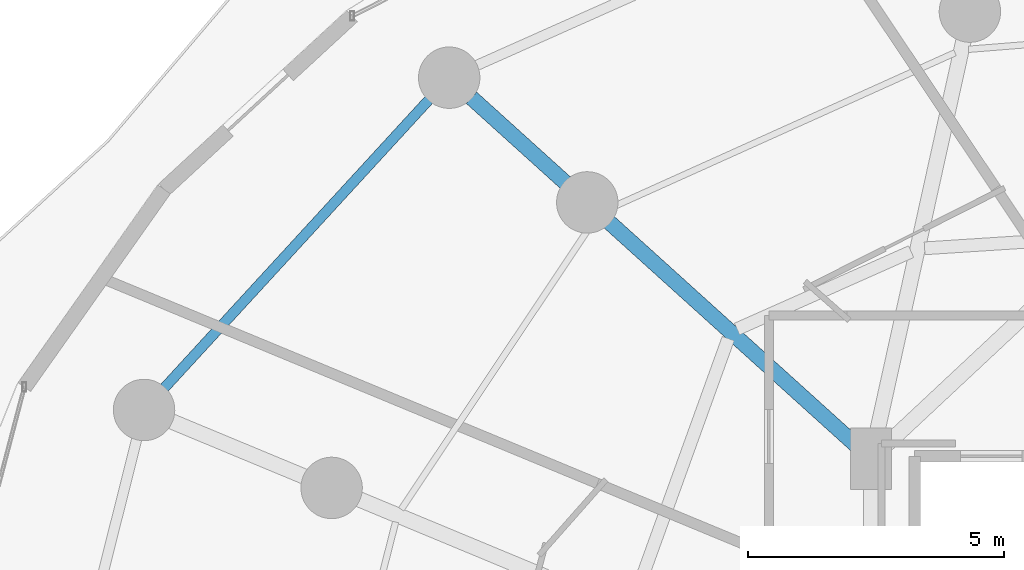
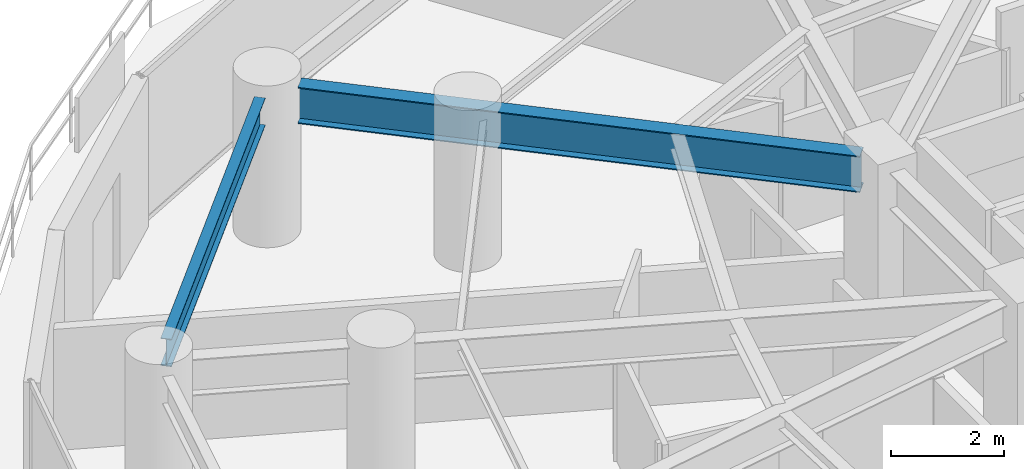
# One storey, part 19 of 35: 2 beams.
"""IFC4 building model written with IfcOpenShell, lengths in metres."""

from ifc_helpers import new_model, si_unit, direction, frame, origin, origin_2d, place, context, subcontext, project, spatial, i_section, extrude, material, material_profile, profile_set, type_object, element, save


model = new_model("IFC4")

# Units and contexts
model_context = context("Model", 3, precision=1e-05, world=origin(), true_north=direction((0.0, 1.0)))
body_context = subcontext(model_context, "Body", "Model", "MODEL_VIEW")
ifc_project = project(units=[si_unit("LENGTHUNIT", "METRE"), si_unit("AREAUNIT", "SQUARE_METRE"), si_unit("VOLUMEUNIT", "CUBIC_METRE"), si_unit("PLANEANGLEUNIT", "RADIAN"), si_unit("MASSUNIT", "GRAM", prefix="KILO")], contexts=[model_context])

# Site, building, storey
site_placement = place(None, origin())
site = spatial("IfcSite", under=ifc_project, at=site_placement, CompositionType="ELEMENT")
building_placement = place(site_placement, origin())
building = spatial("IfcBuilding", under=site, at=building_placement, Name="Vorneva Point Tower", CompositionType="ELEMENT")
storey_placement = place(building_placement, frame((0.0, 0.0, 48.5)))
storey = spatial("IfcBuildingStorey", under=building, at=storey_placement, Name="L12", CompositionType="ELEMENT", Elevation=48.5)

# Beams
ifc_material = material(Name="Steel S355", Category="steel")
ifc_material_profile_1 = material_profile(ifc_material, i_section(OverallWidth=0.300048828125, OverallDepth=0.7880859375, WebThickness=0.014404296875, FlangeThickness=0.02197265625, at=origin_2d()), Name="80Sh1")
ifc_profile_set_1 = profile_set([ifc_material_profile_1], Name="Steel S355")
beam_type_1 = type_object("IfcBeamType", Name="BM-GRD-80Sh1", PredefinedType="USERDEFINED", material=ifc_profile_set_1)
beam_1_placement = place(storey_placement, frame((19.43896484375, 40.205810546875, 2.845947265625), z_axis=(0.742076105577, -0.670315637243, 0.0), x_axis=(0.670315637243, 0.742076105577, 0.0)))
element("IfcBeam", 1, at=beam_1_placement, inside=storey, type_object=beam_type_1, Name="L12 Radial Primary Girder 07", ObjectType="GIRDER", PredefinedType="USERDEFINED", context=body_context, shape_type="SweptSolid", body=[
    extrude(i_section(OverallWidth=0.300048828125, OverallDepth=0.7880859375, WebThickness=0.014404296875, FlangeThickness=0.02197265625, at=origin_2d()), origin(), (0.0, 0.0, 1.0), 10.18603515625),
])
ifc_material_profile_2 = material_profile(ifc_material, i_section(OverallWidth=0.198974609375, OverallDepth=0.595947265625, WebThickness=0.010009765625, FlangeThickness=0.014892578125, at=origin_2d()), Name="60B1")
ifc_profile_set_2 = profile_set([ifc_material_profile_2], Name="Steel S355")
beam_type_2 = type_object("IfcBeamType", Name="BM-SPN-60B1", PredefinedType="SPANDREL", material=ifc_profile_set_2)
beam_2_placement = place(storey_placement, frame((18.60693359375, 40.1689453125, 2.94189453125), z_axis=(-0.676359049176, -0.736572085133, 0.0), x_axis=(0.736572085133, -0.676359049176, 0.0)))
element("IfcBeam", 2, at=beam_2_placement, inside=storey, type_object=beam_type_2, Name="L12 Perimeter Spandrel Ring Beam 07", PredefinedType="SPANDREL", context=body_context, shape_type="SweptSolid", body=[
    extrude(i_section(OverallWidth=0.198974609375, OverallDepth=0.595947265625, WebThickness=0.010009765625, FlangeThickness=0.014892578125, at=origin_2d()), origin(), (0.0, 0.0, 1.0), 7.64697265625),
])

save(model, "model.ifc")
